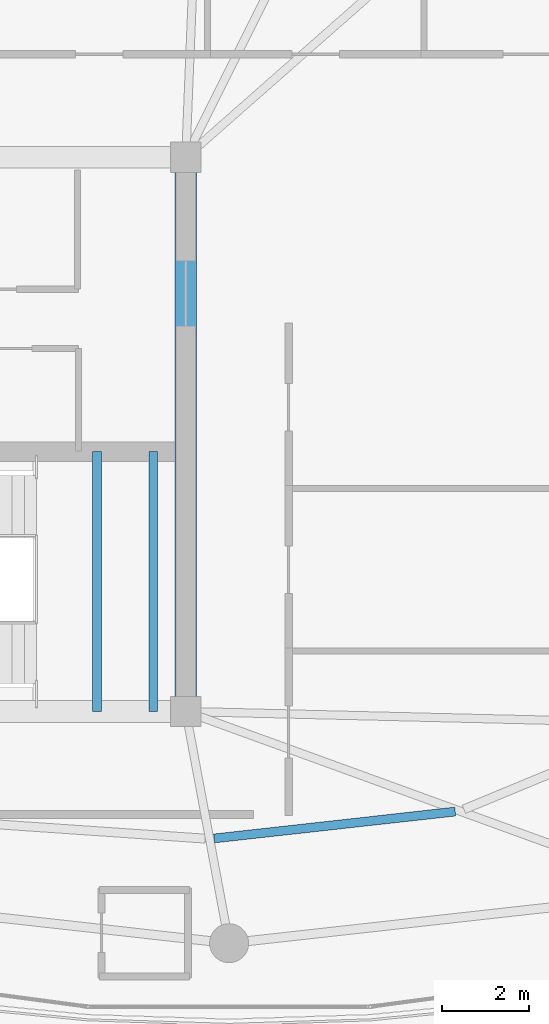
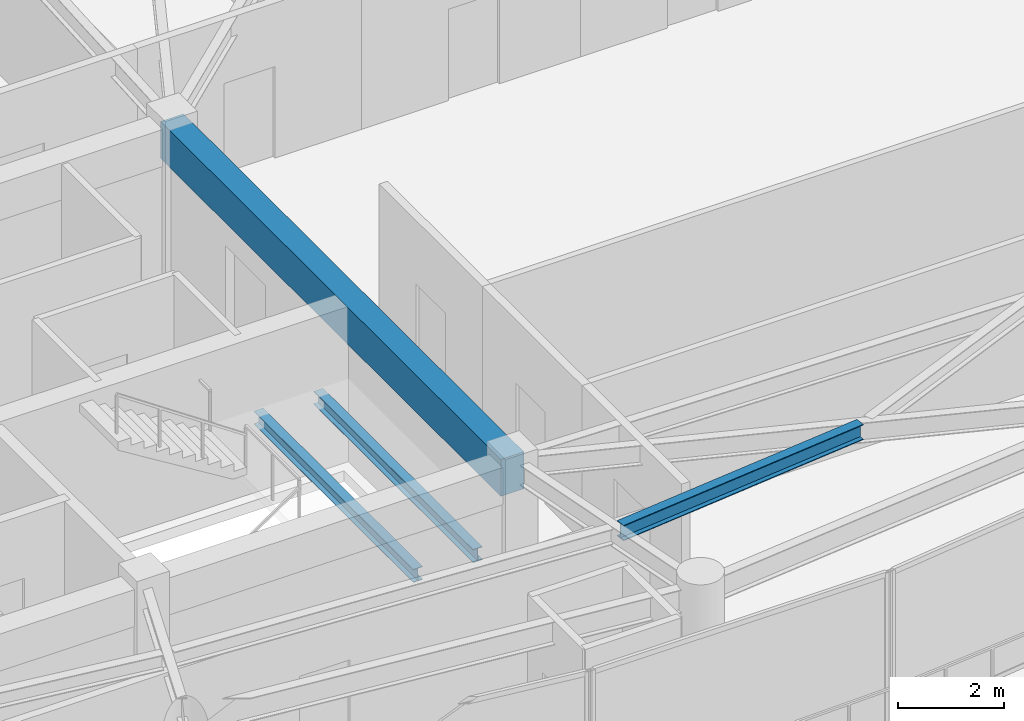
# One storey, part 8 of 29: 4 beams.
"""IFC4 building model written with IfcOpenShell, lengths in metres."""

from ifc_helpers import new_model, si_unit, direction, frame, origin, origin_2d, place, context, subcontext, project, spatial, rectangle, i_section, extrude, material, material_profile, profile_set, type_object, element, save


model = new_model("IFC4")

# Units and contexts
model_context = context("Model", 3, precision=1e-05, world=origin(), true_north=direction((0.0, 1.0)))
body_context = subcontext(model_context, "Body", "Model", "MODEL_VIEW")
ifc_project = project(units=[si_unit("LENGTHUNIT", "METRE"), si_unit("AREAUNIT", "SQUARE_METRE"), si_unit("VOLUMEUNIT", "CUBIC_METRE"), si_unit("PLANEANGLEUNIT", "RADIAN"), si_unit("MASSUNIT", "GRAM", prefix="KILO")], contexts=[model_context])

# Site, building, storey
site_placement = place(None, origin())
site = spatial("IfcSite", under=ifc_project, at=site_placement, CompositionType="ELEMENT")
building_placement = place(site_placement, origin())
building = spatial("IfcBuilding", under=site, at=building_placement, Name="Kazevale Care Tower and Concert Hall", CompositionType="ELEMENT")
storey_placement = place(building_placement, frame((0.0, 0.0, 262.39990234375)))
storey = spatial("IfcBuildingStorey", under=building, at=storey_placement, Name="L69", CompositionType="ELEMENT", Elevation=262.39990234375)

# Beams
ifc_material_1 = material(Name="Concrete C60", Category="concrete")
ifc_material_profile_1 = material_profile(ifc_material_1, rectangle(XDim=0.5, YDim=0.85009765625, at=origin_2d()), Name="RC-B500x850")
ifc_profile_set_1 = profile_set([ifc_material_profile_1], Name="Concrete C60")
beam_type_1 = type_object("IfcBeamType", Name="Core Coupling Beam RC500x850", PredefinedType="LINTEL", material=ifc_profile_set_1)
beam_1_placement = place(storey_placement, frame((44.0, 23.60009765625, 3.135009765625), z_axis=(0.0, 1.0, 0.0), x_axis=(-1.0, 0.0, 0.0)))
element("IfcBeam", 1, at=beam_1_placement, inside=storey, type_object=beam_type_1, Name="beam:L69:coretie:4", PredefinedType="LINTEL", context=body_context, shape_type="SweptSolid", body=[
    extrude(rectangle(XDim=0.5, YDim=0.85009765625, at=origin_2d()), origin(), (0.0, 0.0, 1.0), 12.7998046875),
])
ifc_material_2 = material(Name="Steel ASTM A572 Gr 50", Category="steel")
ifc_material_profile_2 = material_profile(ifc_material_2, i_section(OverallWidth=0.205078125, OverallDepth=0.35400390625, WebThickness=0.009521484375, FlangeThickness=0.016845703125, at=origin_2d()), Name="W360x79")
ifc_profile_set_2 = profile_set([ifc_material_profile_2], Name="Steel ASTM A572 Gr 50")
beam_type_2 = type_object("IfcBeamType", Name="Secondary Floor Joist W360x79", PredefinedType="JOIST", material=ifc_profile_set_2)
beam_2_placement = place(storey_placement, frame((44.654052734375, 20.6689453125, 3.383056640625), z_axis=(0.99385286667, 0.110708985236, 0.0), x_axis=(-0.110708985236, 0.99385286667, 0.0)))
element("IfcBeam", 2, at=beam_2_placement, inside=storey, type_object=beam_type_2, Name="beam:L69:joist:13", PredefinedType="JOIST", context=body_context, shape_type="SweptSolid", body=[
    extrude(i_section(OverallWidth=0.205078125, OverallDepth=0.35400390625, WebThickness=0.009521484375, FlangeThickness=0.016845703125, at=origin_2d()), origin(), (0.0, 0.0, 1.0), 5.601318359375),
])
ifc_material_profile_3 = material_profile(ifc_material_2, i_section(OverallWidth=0.202880859375, OverallDepth=0.302978515625, WebThickness=0.007568359375, FlangeThickness=0.01318359375, at=origin_2d()), Name="W310x60")
ifc_profile_set_3 = profile_set([ifc_material_profile_3], Name="Steel ASTM A572 Gr 50")
beam_type_3 = type_object("IfcBeamType", Name="Stair & Balcony Trimmer W310x60", PredefinedType="BEAM", material=ifc_profile_set_3)
for number, where, z_axis, x_axis, name in (
    (3, (41.949951171875, 23.60009765625, 1.548583984375), (0.0, 1.0, 0.0), (-1.0, 0.0, 0.0), "beam:L69:sttrim:ST2"),
    (4, (43.25, 23.60009765625, 1.548583984375), (0.0, 1.0, 0.0), (-1.0, 0.0, 0.0), "beam:L69:sttrim:ST2b"),
):
    element("IfcBeam", number, at=place(storey_placement, frame(where, z_axis=z_axis, x_axis=x_axis)), inside=storey, type_object=beam_type_3, Name=name, PredefinedType="BEAM", context=body_context, shape_type="SweptSolid", body=[
        extrude(i_section(OverallWidth=0.202880859375, OverallDepth=0.302978515625, WebThickness=0.007568359375, FlangeThickness=0.01318359375, at=origin_2d()), origin(), (0.0, 0.0, 1.0), 6.0),
    ])

save(model, "model.ifc")
